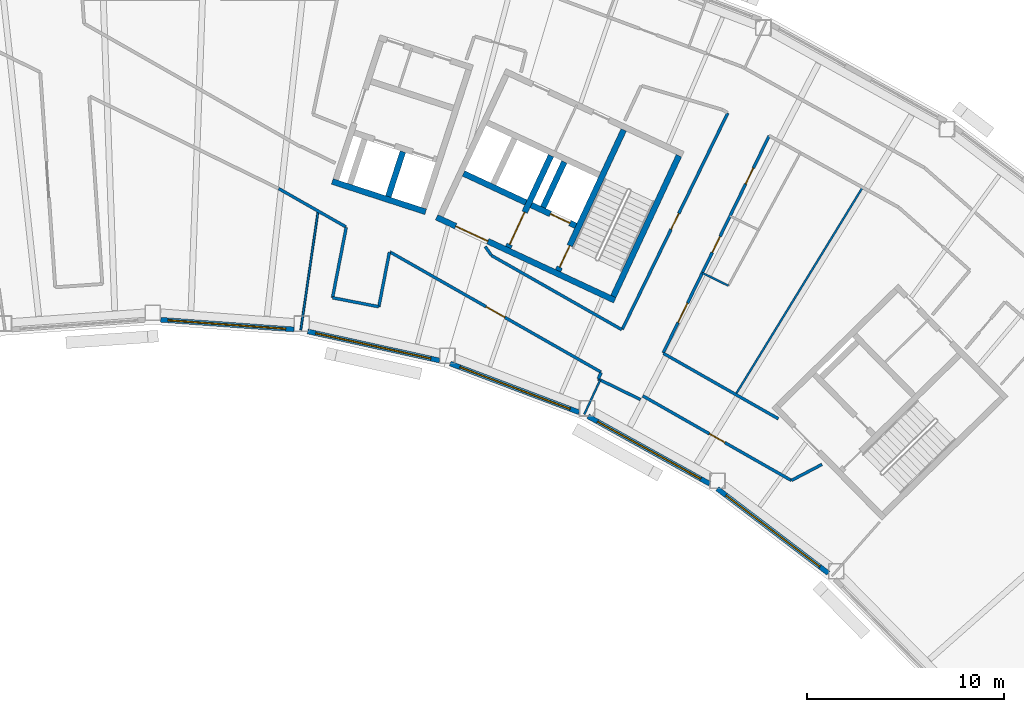
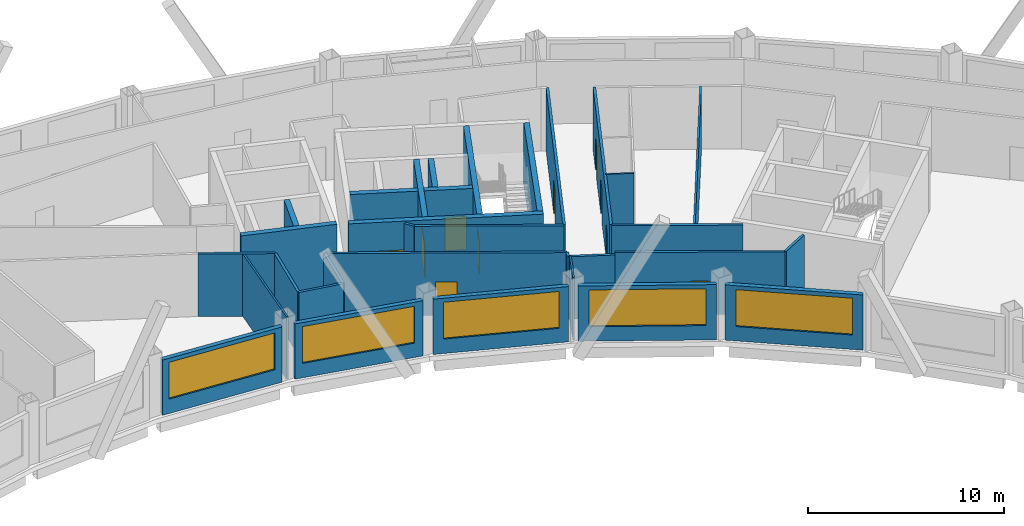
# One storey, part 8 of 14: 32 walls, 10 doors, 5 windows, 15 openings.
"""IFC4 building model written with IfcOpenShell, lengths in metres."""

from ifc_helpers import new_model, si_unit, direction, frame, frame_2d, origin, place, context, subcontext, project, spatial, rectangle, extrude, material, layer, layer_set, type_object, element, fill, save


model = new_model("IFC4")

# Units and contexts
model_context = context("Model", 3, precision=1e-05, world=origin(), true_north=direction((0.0, 1.0)))
body_context = subcontext(model_context, "Body", "Model", "MODEL_VIEW")
ifc_project = project(units=[si_unit("LENGTHUNIT", "METRE"), si_unit("AREAUNIT", "SQUARE_METRE"), si_unit("VOLUMEUNIT", "CUBIC_METRE"), si_unit("PLANEANGLEUNIT", "RADIAN"), si_unit("MASSUNIT", "GRAM", prefix="KILO")], contexts=[model_context])

# Site, building, storey
site_placement = place(None, origin())
site = spatial("IfcSite", under=ifc_project, at=site_placement, CompositionType="ELEMENT")
building_placement = place(site_placement, origin())
building = spatial("IfcBuilding", under=site, at=building_placement, Name="Tuul Gate Civic Tower", CompositionType="ELEMENT")
storey_placement = place(building_placement, frame((0.0, 0.0, 256.800048828125)))
storey = spatial("IfcBuildingStorey", under=building, at=storey_placement, Name="Level 58", CompositionType="ELEMENT", Elevation=256.800048828125)

# Wall, opening, door
ifc_material_1 = material(Name="Concrete C50/60", Category="concrete")
ifc_layer_1 = layer(ifc_material_1, 0.300048828125)
ifc_layer_set_1 = layer_set([ifc_layer_1], Name="Concrete C50/60")
wall_type_1 = type_object("IfcWallType", Name="Core wall C50/60", PredefinedType="SHEAR", material=ifc_layer_set_1)
wall_1_placement = place(storey_placement, frame((34.5283203125, -7.25, 0.0), z_axis=(0.0, 0.0, 1.0), x_axis=(-0.906310338845, 0.422612789327, 0.0)))
wall_1 = element("IfcWall", 1, at=wall_1_placement, inside=storey, type_object=wall_type_1, Name="Core wall", PredefinedType="SHEAR", context=body_context, shape_type="SweptSolid", body=[
    extrude(rectangle(XDim=9.999755859375, YDim=0.300048828125, at=frame_2d((5.0, 0.0))), origin(), (0.0, 0.0, 1.0), 3.89990234375),
])
opening_1_placement = place(wall_1_placement, frame((7.125, 0.0, 0.0)))
opening_1 = element("IfcOpeningElement", 2, at=opening_1_placement, cuts=wall_1, Name="Opening LB-E3-LOBBY-1", PredefinedType="OPENING", context=body_context, shape_type="SweptSolid", body=[
    extrude(rectangle(XDim=1.800048828125, YDim=2.10009765625, at=frame_2d((0.89990234375, 1.050048828125))), frame((0.0, 0.16015625, 0.0), z_axis=(0.0, -1.0, 0.0), x_axis=(1.0, 0.0, 0.0)), (0.0, 0.0, 1.0), 0.320068359375),
])
ifc_material_2 = material(Name="Steel", Category="steel")
door_type_1 = type_object("IfcDoorType", Name="Lobby door", OperationType="DOUBLE_DOOR_SINGLE_SWING", PredefinedType="DOOR", material=ifc_material_2)
door_1_placement = place(opening_1_placement, origin())
door_1 = element("IfcDoor", 3, at=door_1_placement, inside=storey, type_object=door_type_1, Name="Lobby door E3-LOBBY", OperationType="DOUBLE_DOOR_SINGLE_SWING", OverallHeight=2.10009765625, OverallWidth=1.800048828125, PredefinedType="DOOR", context=body_context, shape_type="SweptSolid", body=[
    extrude(rectangle(XDim=1.800048828125, YDim=2.10009765625, at=frame_2d((0.89990234375, 1.050048828125))), frame((0.0, 0.02490234375, 0.0), z_axis=(0.0, -1.0, 0.0), x_axis=(1.0, 0.0, 0.0)), (0.0, 0.0, 1.0), 0.050048828125),
])
fill(opening_1, door_1)

wall_2_placement = place(storey_placement, frame((32.545654296875, -3.456787109375, 0.0), z_axis=(0.0, 0.0, 1.0), x_axis=(-0.906300357825, 0.42263419337, 0.0)))
wall_2 = element("IfcWall", 4, at=wall_2_placement, inside=storey, type_object=wall_type_1, Name="Core wall", PredefinedType="SHEAR", context=body_context, shape_type="SweptSolid", body=[
    extrude(rectangle(XDim=2.500244140625, YDim=0.300048828125, at=frame_2d((1.25, 0.0))), origin(), (0.0, 0.0, 1.0), 3.89990234375),
])
opening_2_placement = place(wall_2_placement, frame((0.324951171875, 0.0, 0.0)))
opening_2 = element("IfcOpeningElement", 5, at=opening_2_placement, cuts=wall_2, Name="Opening LD-FF-2", PredefinedType="OPENING", context=body_context, shape_type="SweptSolid", body=[
    extrude(rectangle(XDim=1.10009765625, YDim=2.10009765625, at=frame_2d((0.550048828125, 1.050048828125))), frame((0.0, 0.16015625, 0.0), z_axis=(0.0, -1.0, 0.0), x_axis=(1.0, 0.0, 0.0)), (0.0, 0.0, 1.0), 0.320068359375),
])
ifc_material_3 = material(Name="Stainless steel", Category="steel")
door_type_2 = type_object("IfcDoorType", Name="Landing door", OperationType="DOUBLE_DOOR_SLIDING", PredefinedType="DOOR", material=ifc_material_3)
door_2_placement = place(opening_2_placement, origin())
door_2 = element("IfcDoor", 6, at=door_2_placement, inside=storey, type_object=door_type_2, Name="Fire-fighting lift FF-2 landing door", OperationType="DOUBLE_DOOR_SLIDING", OverallHeight=2.10009765625, OverallWidth=1.10009765625, PredefinedType="DOOR", context=body_context, shape_type="SweptSolid", body=[
    extrude(rectangle(XDim=1.10009765625, YDim=2.10009765625, at=frame_2d((0.550048828125, 1.050048828125))), frame((0.0, 0.02490234375, 0.0), z_axis=(0.0, -1.0, 0.0), x_axis=(1.0, 0.0, 0.0)), (0.0, 0.0, 1.0), 0.050048828125),
])
fill(opening_2, door_2)

# Walls
wall_3_placement = place(storey_placement, frame((30.0078125, -2.2734375, 0.0), z_axis=(0.0, 0.0, 1.0), x_axis=(-0.90630071767, 0.422633421716, 0.0)))
element("IfcWall", 7, at=wall_3_placement, inside=storey, type_object=wall_type_1, Name="Core wall", PredefinedType="SHEAR", context=body_context, shape_type="SweptSolid", body=[
    extrude(rectangle(XDim=3.5, YDim=0.300048828125, at=frame_2d((1.75, 0.0))), origin(), (0.0, 0.0, 1.0), 3.89990234375),
])
wall_4_placement = place(storey_placement, frame((34.455810546875, -7.05078125, 0.0), z_axis=(0.0, 0.0, 1.0), x_axis=(0.422570768258, 0.906329932096, 0.0)))
element("IfcWall", 8, at=wall_4_placement, inside=storey, type_object=wall_type_1, Name="Core wall", PredefinedType="SHEAR", context=body_context, shape_type="SweptSolid", body=[
    extrude(rectangle(XDim=7.900146484375, YDim=0.300048828125, at=frame_2d((3.9501953125, 0.0))), origin(), (0.0, 0.0, 1.0), 3.89990234375),
])

# Wall, opening, door
wall_5_placement = place(storey_placement, frame((31.646240234375, -5.740478515625, 0.0), z_axis=(0.0, 0.0, 1.0), x_axis=(0.422582604137, 0.906324413596, 0.0)))
wall_5 = element("IfcWall", 9, at=wall_5_placement, inside=storey, type_object=wall_type_1, Name="Core wall", PredefinedType="SHEAR", context=body_context, shape_type="SweptSolid", body=[
    extrude(rectangle(XDim=7.89990234375, YDim=0.300048828125, at=frame_2d((3.949951171875, 0.0))), origin(), (0.0, 0.0, 1.0), 3.89990234375),
])
opening_3_placement = place(wall_5_placement, frame((0.199951171875, 0.0, 0.0)))
opening_3 = element("IfcOpeningElement", 10, at=opening_3_placement, cuts=wall_5, Name="Opening SD-ST-4", PredefinedType="OPENING", context=body_context, shape_type="SweptSolid", body=[
    extrude(rectangle(XDim=1.199951171875, YDim=2.10009765625, at=frame_2d((0.60009765625, 1.050048828125))), frame((0.0, 0.16015625, 0.0), z_axis=(0.0, -1.0, 0.0), x_axis=(1.0, 0.0, 0.0)), (0.0, 0.0, 1.0), 0.320068359375),
])
ifc_material_4 = material(Name="Steel", Category="steel")
door_type_3 = type_object("IfcDoorType", Name="Stair door", OperationType="NOTDEFINED", PredefinedType="DOOR", material=ifc_material_4)
door_3_placement = place(opening_3_placement, origin())
door_3 = element("IfcDoor", 11, at=door_3_placement, inside=storey, type_object=door_type_3, Name="Stair door ST-4", OperationType="SINGLE_SWING_LEFT", OverallHeight=2.10009765625, OverallWidth=1.199951171875, PredefinedType="DOOR", context=body_context, shape_type="SweptSolid", body=[
    extrude(rectangle(XDim=1.199951171875, YDim=2.10009765625, at=frame_2d((0.60009765625, 1.050048828125))), frame((0.0, 0.02490234375, 0.0), z_axis=(0.0, -1.0, 0.0), x_axis=(1.0, 0.0, 0.0)), (0.0, 0.0, 1.0), 0.050048828125),
])
fill(opening_3, door_3)

# Wall
wall_6_placement = place(storey_placement, frame((30.886962890625, -2.517822265625, 0.0), z_axis=(0.0, 0.0, 1.0), x_axis=(0.422612891016, 0.906310291427, 0.0)))
element("IfcWall", 12, at=wall_6_placement, inside=storey, type_object=wall_type_1, Name="Core wall", PredefinedType="SHEAR", context=body_context, shape_type="SweptSolid", body=[
    extrude(rectangle(XDim=2.550048828125, YDim=0.300048828125, at=frame_2d((1.27490234375, 0.0))), origin(), (0.0, 0.0, 1.0), 3.89990234375),
])

# Wall, opening, door
wall_7_placement = place(storey_placement, frame((29.108642578125, -4.557373046875, 0.0), z_axis=(0.0, 0.0, 1.0), x_axis=(0.422566235356, 0.90633204552, 0.0)))
wall_7 = element("IfcWall", 13, at=wall_7_placement, inside=storey, type_object=wall_type_1, Name="Core wall", PredefinedType="SHEAR", context=body_context, shape_type="SweptSolid", body=[
    extrude(rectangle(XDim=5.150146484375, YDim=0.300048828125, at=frame_2d((2.5751953125, 0.0))), origin(), (0.0, 0.0, 1.0), 3.89990234375),
])
opening_4_placement = place(wall_7_placement, frame((0.175048828125, 0.0, 0.0)))
opening_4 = element("IfcOpeningElement", 14, at=opening_4_placement, cuts=wall_7, Name="Opening LB-E3-FLOBBY-1", PredefinedType="OPENING", context=body_context, shape_type="SweptSolid", body=[
    extrude(rectangle(XDim=1.800048828125, YDim=2.10009765625, at=frame_2d((0.89990234375, 1.050048828125))), frame((0.0, 0.16015625, 0.0), z_axis=(0.0, -1.0, 0.0), x_axis=(1.0, 0.0, 0.0)), (0.0, 0.0, 1.0), 0.320068359375),
])
door_4_placement = place(opening_4_placement, frame((1.800048828125, 0.0, 0.0), z_axis=(0.0, 0.0, 1.0), x_axis=(-1.0, 0.0, 0.0)))
door_4 = element("IfcDoor", 15, at=door_4_placement, inside=storey, type_object=door_type_1, Name="Lobby door E3-FLOBBY", OperationType="DOUBLE_DOOR_SINGLE_SWING", OverallHeight=2.10009765625, OverallWidth=1.800048828125, PredefinedType="DOOR", context=body_context, shape_type="SweptSolid", body=[
    extrude(rectangle(XDim=1.800048828125, YDim=2.10009765625, at=frame_2d((0.900146484375, 1.050048828125))), frame((0.0, 0.02490234375, 0.0), z_axis=(0.0, -1.0, 0.0), x_axis=(1.0, 0.0, 0.0)), (0.0, 0.0, 1.0), 0.050048828125),
])
fill(opening_4, door_4)

# Walls
ifc_material_5 = material(Name="Gypsum board partition")
ifc_layer_2 = layer(ifc_material_5, 0.14990234375)
ifc_layer_set_2 = layer_set([ifc_layer_2], Name="Gypsum board partition")
wall_type_2 = type_object("IfcWallType", Name="Corridor wall P150", PredefinedType="PARTITIONING", material=ifc_layer_set_2)
wall_8_placement = place(storey_placement, frame((28.256591796875, -4.965576171875, 0.0), z_axis=(0.0, 0.0, 1.0), x_axis=(0.869032320877, -0.494755318589, 0.0)))
element("IfcWall", 16, at=wall_8_placement, inside=storey, type_object=wall_type_2, Name="p023", PredefinedType="PARTITIONING", context=body_context, shape_type="SweptSolid", body=[
    extrude(rectangle(XDim=7.62353515625, YDim=0.14990234375, at=frame_2d((3.811767578125, 0.0))), origin(), (0.0, 0.0, 1.0), 3.89990234375),
])
wall_9_placement = place(storey_placement, frame((37.004638671875, -9.94580078125, 0.0), z_axis=(0.0, 0.0, 1.0), x_axis=(0.869046007404, -0.49473127758, 0.0)))
element("IfcWall", 17, at=wall_9_placement, inside=storey, type_object=wall_type_2, Name="p024", PredefinedType="PARTITIONING", context=body_context, shape_type="SweptSolid", body=[
    extrude(rectangle(XDim=6.72705078125, YDim=0.14990234375, at=frame_2d((3.363525390625, 0.0))), origin(), (0.0, 0.0, 1.0), 3.89990234375),
])
wall_10_placement = place(storey_placement, frame((33.681640625, -11.247314453125, 0.0), z_axis=(0.0, 0.0, 1.0), x_axis=(0.898820277284, -0.438317361216, 0.0)))
element("IfcWall", 18, at=wall_10_placement, inside=storey, type_object=wall_type_2, Name="p052", PredefinedType="PARTITIONING", context=body_context, shape_type="SweptSolid", body=[
    extrude(rectangle(XDim=2.39892578125, YDim=0.14990234375, at=frame_2d((1.199462890625, 0.0))), origin(), (0.0, 0.0, 1.0), 3.89990234375),
])

# Wall, openings, doors
wall_11_placement = place(storey_placement, frame((36.998291015625, -9.920654296875, 0.0), z_axis=(0.0, 0.0, 1.0), x_axis=(0.438372757264, 0.898793260816, 0.0)))
wall_11 = element("IfcWall", 19, at=wall_11_placement, inside=storey, type_object=wall_type_2, Name="p053", PredefinedType="PARTITIONING", context=body_context, shape_type="SweptSolid", body=[
    extrude(rectangle(XDim=12.291259765625, YDim=0.14990234375, at=frame_2d((6.1455078125, 0.0))), origin(), (0.0, 0.0, 1.0), 3.89990234375),
])
opening_5_placement = place(wall_11_placement, frame((1.712158203125, 0.0, 0.0)))
opening_5 = element("IfcOpeningElement", 20, at=opening_5_placement, cuts=wall_11, Name="Opening V-D18", PredefinedType="OPENING", context=body_context, shape_type="SweptSolid", body=[
    extrude(rectangle(XDim=1.10009765625, YDim=2.10009765625, at=frame_2d((0.550048828125, 1.050048828125))), frame((0.0, 0.0849609375, 0.0), z_axis=(0.0, -1.0, 0.0), x_axis=(1.0, 0.0, 0.0)), (0.0, 0.0, 1.0), 0.169921875),
])
opening_6_placement = place(wall_11_placement, frame((5.68505859375, 0.0, 0.0)))
opening_6 = element("IfcOpeningElement", 21, at=opening_6_placement, cuts=wall_11, Name="Opening V-D19", PredefinedType="OPENING", context=body_context, shape_type="SweptSolid", body=[
    extrude(rectangle(XDim=0.89990234375, YDim=2.10009765625, at=frame_2d((0.449951171875, 1.050048828125))), frame((0.0, 0.0849609375, 0.0), z_axis=(0.0, -1.0, 0.0), x_axis=(1.0, 0.0, 0.0)), (0.0, 0.0, 1.0), 0.169921875),
])
opening_7_placement = place(wall_11_placement, frame((9.5537109375, 0.0, 0.0)))
opening_7 = element("IfcOpeningElement", 22, at=opening_7_placement, cuts=wall_11, Name="Opening V-D25", PredefinedType="OPENING", context=body_context, shape_type="SweptSolid", body=[
    extrude(rectangle(XDim=0.89990234375, YDim=2.10009765625, at=frame_2d((0.449951171875, 1.050048828125))), frame((0.0, 0.0849609375, 0.0), z_axis=(0.0, -1.0, 0.0), x_axis=(1.0, 0.0, 0.0)), (0.0, 0.0, 1.0), 0.169921875),
])
ifc_material_6 = material(Name="Timber door leaf", Category="wood")
door_type_4 = type_object("IfcDoorType", Name="Door D09", OperationType="NOTDEFINED", PredefinedType="DOOR", material=ifc_material_6)
door_5_placement = place(opening_6_placement, frame((0.89990234375, 0.0, 0.0), z_axis=(0.0, 0.0, 1.0), x_axis=(-1.0, 0.0, 0.0)))
door_5 = element("IfcDoor", 23, at=door_5_placement, inside=storey, type_object=door_type_4, Name="Door V-D19", OperationType="SINGLE_SWING_LEFT", OverallHeight=2.10009765625, OverallWidth=0.89990234375, PredefinedType="DOOR", context=body_context, shape_type="SweptSolid", body=[
    extrude(rectangle(XDim=0.89990234375, YDim=2.10009765625, at=frame_2d((0.449951171875, 1.050048828125))), frame((0.0, 0.02490234375, 0.0), z_axis=(0.0, -1.0, 0.0), x_axis=(1.0, 0.0, 0.0)), (0.0, 0.0, 1.0), 0.050048828125),
])
fill(opening_6, door_5)
door_6_placement = place(opening_7_placement, frame((0.89990234375, 0.0, 0.0), z_axis=(0.0, 0.0, 1.0), x_axis=(-1.0, 0.0, 0.0)))
door_6 = element("IfcDoor", 24, at=door_6_placement, inside=storey, type_object=door_type_4, Name="Door V-D25", OperationType="SINGLE_SWING_LEFT", OverallHeight=2.10009765625, OverallWidth=0.89990234375, PredefinedType="DOOR", context=body_context, shape_type="SweptSolid", body=[
    extrude(rectangle(XDim=0.89990234375, YDim=2.10009765625, at=frame_2d((0.449951171875, 1.050048828125))), frame((0.0, 0.02490234375, 0.0), z_axis=(0.0, -1.0, 0.0), x_axis=(1.0, 0.0, 0.0)), (0.0, 0.0, 1.0), 0.050048828125),
])
fill(opening_7, door_6)
ifc_material_7 = material(Name="Timber door leaf", Category="wood")
door_type_5 = type_object("IfcDoorType", Name="Door D11", OperationType="NOTDEFINED", PredefinedType="DOOR", material=ifc_material_7)
door_7_placement = place(opening_5_placement, frame((1.10009765625, 0.0, 0.0), z_axis=(0.0, 0.0, 1.0), x_axis=(-1.0, 0.0, 0.0)))
door_7 = element("IfcDoor", 25, at=door_7_placement, inside=storey, type_object=door_type_5, Name="Door V-D18", OperationType="SINGLE_SWING_LEFT", OverallHeight=2.10009765625, OverallWidth=1.10009765625, PredefinedType="DOOR", context=body_context, shape_type="SweptSolid", body=[
    extrude(rectangle(XDim=1.10009765625, YDim=2.10009765625, at=frame_2d((0.550048828125, 1.050048828125))), frame((0.0, 0.02490234375, 0.0), z_axis=(0.0, -1.0, 0.0), x_axis=(1.0, 0.0, 0.0)), (0.0, 0.0, 1.0), 0.050048828125),
])
fill(opening_5, door_7)

# Wall
wall_12_placement = place(storey_placement, frame((17.43310546875, -1.565673828125, 0.0), z_axis=(0.0, 0.0, 1.0), x_axis=(0.869046695057, -0.494730069645, 0.0)))
element("IfcWall", 26, at=wall_12_placement, inside=storey, type_object=wall_type_2, Name="p054", PredefinedType="PARTITIONING", context=body_context, shape_type="SweptSolid", body=[
    extrude(rectangle(XDim=3.939453125, YDim=0.14990234375, at=frame_2d((1.9697265625, 0.0))), origin(), (0.0, 0.0, 1.0), 3.89990234375),
])

# Wall, opening, door
wall_13_placement = place(storey_placement, frame((23.0947265625, -4.788818359375, 0.0), z_axis=(0.0, 0.0, 1.0), x_axis=(0.869048389976, -0.494727092324, 0.0)))
wall_13 = element("IfcWall", 27, at=wall_13_placement, inside=storey, type_object=wall_type_2, Name="p055", PredefinedType="PARTITIONING", context=body_context, shape_type="SweptSolid", body=[
    extrude(rectangle(XDim=12.3525390625, YDim=0.14990234375, at=frame_2d((6.17626953125, 0.0))), origin(), (0.0, 0.0, 1.0), 3.89990234375),
])
opening_8_placement = place(wall_13_placement, frame((5.626220703125, 0.0, 0.0)))
opening_8 = element("IfcOpeningElement", 28, at=opening_8_placement, cuts=wall_13, Name="Opening V-D11", PredefinedType="OPENING", context=body_context, shape_type="SweptSolid", body=[
    extrude(rectangle(XDim=1.10009765625, YDim=2.10009765625, at=frame_2d((0.550048828125, 1.050048828125))), frame((0.0, 0.0849609375, 0.0), z_axis=(0.0, -1.0, 0.0), x_axis=(1.0, 0.0, 0.0)), (0.0, 0.0, 1.0), 0.169921875),
])
door_8_placement = place(opening_8_placement, frame((1.10009765625, 0.0, 0.0), z_axis=(0.0, 0.0, 1.0), x_axis=(-1.0, 0.0, 0.0)))
door_8 = element("IfcDoor", 29, at=door_8_placement, inside=storey, type_object=door_type_5, Name="Door V-D11", OperationType="SINGLE_SWING_LEFT", OverallHeight=2.10009765625, OverallWidth=1.10009765625, PredefinedType="DOOR", context=body_context, shape_type="SweptSolid", body=[
    extrude(rectangle(XDim=1.10009765625, YDim=2.10009765625, at=frame_2d((0.550048828125, 1.050048828125))), frame((0.0, 0.02490234375, 0.0), z_axis=(0.0, -1.0, 0.0), x_axis=(1.0, 0.0, 0.0)), (0.0, 0.0, 1.0), 0.050048828125),
])
fill(opening_8, door_8)

wall_14_placement = place(storey_placement, frame((35.954345703125, -12.109619140625, 0.0), z_axis=(0.0, 0.0, 1.0), x_axis=(0.869048580434, -0.494726757761, 0.0)))
wall_14 = element("IfcWall", 30, at=wall_14_placement, inside=storey, type_object=wall_type_2, Name="p056", PredefinedType="PARTITIONING", context=body_context, shape_type="SweptSolid", body=[
    extrude(rectangle(XDim=8.69873046875, YDim=0.14990234375, at=frame_2d((4.349365234375, 0.0))), origin(), (0.0, 0.0, 1.0), 3.89990234375),
])
opening_9_placement = place(wall_14_placement, frame((3.8994140625, 0.0, 0.0)))
opening_9 = element("IfcOpeningElement", 31, at=opening_9_placement, cuts=wall_14, Name="Opening V-D10", PredefinedType="OPENING", context=body_context, shape_type="SweptSolid", body=[
    extrude(rectangle(XDim=0.89990234375, YDim=2.10009765625, at=frame_2d((0.449951171875, 1.050048828125))), frame((0.0, 0.0849609375, 0.0), z_axis=(0.0, -1.0, 0.0), x_axis=(1.0, 0.0, 0.0)), (0.0, 0.0, 1.0), 0.169921875),
])
door_9_placement = place(opening_9_placement, frame((0.89990234375, 0.0, 0.0), z_axis=(0.0, 0.0, 1.0), x_axis=(-1.0, 0.0, 0.0)))
door_9 = element("IfcDoor", 32, at=door_9_placement, inside=storey, type_object=door_type_4, Name="Door V-D10", OperationType="SINGLE_SWING_LEFT", OverallHeight=2.10009765625, OverallWidth=0.89990234375, PredefinedType="DOOR", context=body_context, shape_type="SweptSolid", body=[
    extrude(rectangle(XDim=0.89990234375, YDim=2.10009765625, at=frame_2d((0.449951171875, 1.050048828125))), frame((0.0, 0.02490234375, 0.0), z_axis=(0.0, -1.0, 0.0), x_axis=(1.0, 0.0, 0.0)), (0.0, 0.0, 1.0), 0.050048828125),
])
fill(opening_9, door_9)

# Walls
wall_15_placement = place(storey_placement, frame((43.514892578125, -16.4130859375, 0.0), z_axis=(0.0, 0.0, 1.0), x_axis=(0.885578182446, 0.464490347343, 0.0)))
element("IfcWall", 33, at=wall_15_placement, inside=storey, type_object=wall_type_2, Name="p057", PredefinedType="PARTITIONING", context=body_context, shape_type="SweptSolid", body=[
    extrude(rectangle(XDim=1.755126953125, YDim=0.14990234375, at=frame_2d((0.87744140625, 0.0))), origin(), (0.0, 0.0, 1.0), 3.89990234375),
])
wall_16_placement = place(storey_placement, frame((20.17041015625, -7.1162109375, 0.0), z_axis=(0.0, 0.0, 1.0), x_axis=(0.190835618479, 0.981622008066, 0.0)))
element("IfcWall", 34, at=wall_16_placement, inside=storey, type_object=wall_type_2, Name="p058", PredefinedType="PARTITIONING", context=body_context, shape_type="SweptSolid", body=[
    extrude(rectangle(XDim=3.6474609375, YDim=0.14990234375, at=frame_2d((1.82373046875, 0.0))), origin(), (0.0, 0.0, 1.0), 3.89990234375),
])
wall_17_placement = place(storey_placement, frame((20.1708984375, -7.11669921875, 0.0), z_axis=(0.0, 0.0, 1.0), x_axis=(0.981627039765, -0.190809734559, 0.0)))
element("IfcWall", 35, at=wall_17_placement, inside=storey, type_object=wall_type_2, Name="p059", PredefinedType="PARTITIONING", context=body_context, shape_type="SweptSolid", body=[
    extrude(rectangle(XDim=2.399169921875, YDim=0.14990234375, at=frame_2d((1.19970703125, 0.0))), origin(), (0.0, 0.0, 1.0), 3.89990234375),
])
wall_18_placement = place(storey_placement, frame((22.5263671875, -7.57421875, 0.0), z_axis=(0.0, 0.0, 1.0), x_axis=(0.190809492734, 0.981627086771, 0.0)))
element("IfcWall", 36, at=wall_18_placement, inside=storey, type_object=wall_type_2, Name="p060", PredefinedType="PARTITIONING", context=body_context, shape_type="SweptSolid", body=[
    extrude(rectangle(XDim=2.823974609375, YDim=0.14990234375, at=frame_2d((1.412109375, 0.0))), origin(), (0.0, 0.0, 1.0), 3.89990234375),
])
wall_19_placement = place(storey_placement, frame((33.681396484375, -11.24658203125, 0.0), z_axis=(0.0, 0.0, 1.0), x_axis=(0.438153845519, 0.898899998697, 0.0)))
element("IfcWall", 37, at=wall_19_placement, inside=storey, type_object=wall_type_2, Name="p061", PredefinedType="PARTITIONING", context=body_context, shape_type="SweptSolid", body=[
    extrude(rectangle(XDim=0.356689453125, YDim=0.14990234375, at=frame_2d((0.17822265625, 0.0))), origin(), (0.0, 0.0, 1.0), 3.89990234375),
])

# Wall, opening, door
wall_20_placement = place(storey_placement, frame((34.909423828125, -8.728515625, 0.0), z_axis=(0.0, 0.0, 1.0), x_axis=(0.43837608299, 0.898791638736, 0.0)))
wall_20 = element("IfcWall", 38, at=wall_20_placement, inside=storey, type_object=wall_type_2, Name="p062", PredefinedType="PARTITIONING", context=body_context, shape_type="SweptSolid", body=[
    extrude(rectangle(XDim=12.240478515625, YDim=0.14990234375, at=frame_2d((6.1201171875, 0.0))), origin(), (0.0, 0.0, 1.0), 3.89990234375),
])
opening_10_placement = place(wall_20_placement, frame((5.67041015625, 0.0, 0.0)))
opening_10 = element("IfcOpeningElement", 39, at=opening_10_placement, cuts=wall_20, Name="Opening V-D20", PredefinedType="OPENING", context=body_context, shape_type="SweptSolid", body=[
    extrude(rectangle(XDim=0.89990234375, YDim=2.10009765625, at=frame_2d((0.449951171875, 1.050048828125))), frame((0.0, 0.0849609375, 0.0), z_axis=(0.0, -1.0, 0.0), x_axis=(1.0, 0.0, 0.0)), (0.0, 0.0, 1.0), 0.169921875),
])
door_10_placement = place(opening_10_placement, origin())
door_10 = element("IfcDoor", 40, at=door_10_placement, inside=storey, type_object=door_type_4, Name="Door V-D20", OperationType="SINGLE_SWING_RIGHT", OverallHeight=2.10009765625, OverallWidth=0.89990234375, PredefinedType="DOOR", context=body_context, shape_type="SweptSolid", body=[
    extrude(rectangle(XDim=0.89990234375, YDim=2.10009765625, at=frame_2d((0.449951171875, 1.050048828125))), frame((0.0, 0.02490234375, 0.0), z_axis=(0.0, -1.0, 0.0), x_axis=(1.0, 0.0, 0.0)), (0.0, 0.0, 1.0), 0.050048828125),
])
fill(opening_10, door_10)

# Wall
wall_21_placement = place(storey_placement, frame((27.939453125, -4.509033203125, 0.0), z_axis=(0.0, 0.0, 1.0), x_axis=(0.567399346164, -0.823442761807, 0.0)))
element("IfcWall", 41, at=wall_21_placement, inside=storey, type_object=wall_type_2, Name="p094", PredefinedType="PARTITIONING", context=body_context, shape_type="SweptSolid", body=[
    extrude(rectangle(XDim=0.54736328125, YDim=0.14990234375, at=frame_2d((0.273681640625, 0.0))), origin(), (0.0, 0.0, 1.0), 3.89990234375),
])

# Wall, opening, window
ifc_material_8 = material(Name="Precast concrete C40/50", Category="concrete")
ifc_layer_3 = layer(ifc_material_8, 0.25)
ifc_layer_set_3 = layer_set([ifc_layer_3], Name="Precast concrete C40/50")
wall_type_3 = type_object("IfcWallType", Name="External wall", PredefinedType="STANDARD", material=ifc_layer_set_3)
wall_22_placement = place(storey_placement, frame((11.430908203125, -8.236572265625, 0.0), z_axis=(0.0, 0.0, 1.0), x_axis=(0.997384795983, -0.072274260578, 0.0)))
wall_22 = element("IfcWall", 42, at=wall_22_placement, inside=storey, type_object=wall_type_3, Name="External wall", PredefinedType="STANDARD", context=body_context, shape_type="SweptSolid", body=[
    extrude(rectangle(XDim=6.789794921875, YDim=0.25, at=frame_2d((3.39501953125, 0.0))), origin(), (0.0, 0.0, 1.0), 3.449951171875),
])
opening_11_placement = place(wall_22_placement, frame((0.371337890625, 0.0, 0.89990234375)))
opening_11 = element("IfcOpeningElement", 43, at=opening_11_placement, cuts=wall_22, Name="Opening W26", PredefinedType="OPENING", context=body_context, shape_type="SweptSolid", body=[
    extrude(rectangle(XDim=6.0, YDim=2.300048828125, at=frame_2d((3.0, 1.14990234375))), frame((0.0, 0.135009765625, 0.0), z_axis=(0.0, -1.0, 0.0), x_axis=(1.0, 0.0, 0.0)), (0.0, 0.0, 1.0), 0.27001953125),
])
ifc_material_9 = material(Name="Glass", Category="glass")
window_type = type_object("IfcWindowType", Name="Window W26 6000 x 2300", PartitioningType="SINGLE_PANEL", PredefinedType="WINDOW", material=ifc_material_9)
window_1_placement = place(opening_11_placement, origin())
window_1 = element("IfcWindow", 44, at=window_1_placement, inside=storey, type_object=window_type, Name="Window", OverallHeight=2.300048828125, OverallWidth=6.0, PartitioningType="SINGLE_PANEL", PredefinedType="WINDOW", context=body_context, shape_type="SweptSolid", body=[
    extrude(rectangle(XDim=6.0, YDim=2.300048828125, at=frame_2d((3.0, 1.14990234375))), frame((0.0, 0.030029296875, 0.0), z_axis=(0.0, -1.0, 0.0), x_axis=(1.0, 0.0, 0.0)), (0.0, 0.0, 1.0), 0.06005859375),
])
fill(opening_11, window_1)

wall_23_placement = place(storey_placement, frame((18.90576171875, -8.830078125, 0.0), z_axis=(0.0, 0.0, 1.0), x_axis=(0.976589118116, -0.215113212929, 0.0)))
wall_23 = element("IfcWall", 45, at=wall_23_placement, inside=storey, type_object=wall_type_3, Name="External wall", PredefinedType="STANDARD", context=body_context, shape_type="SweptSolid", body=[
    extrude(rectangle(XDim=6.8720703125, YDim=0.25, at=frame_2d((3.43603515625, 0.0))), origin(), (0.0, 0.0, 1.0), 3.449951171875),
])
opening_12_placement = place(wall_23_placement, frame((0.4140625, 0.0, 0.89990234375)))
opening_12 = element("IfcOpeningElement", 46, at=opening_12_placement, cuts=wall_23, Name="Opening W26", PredefinedType="OPENING", context=body_context, shape_type="SweptSolid", body=[
    extrude(rectangle(XDim=6.0, YDim=2.300048828125, at=frame_2d((3.0, 1.14990234375))), frame((0.0, 0.135009765625, 0.0), z_axis=(0.0, -1.0, 0.0), x_axis=(1.0, 0.0, 0.0)), (0.0, 0.0, 1.0), 0.27001953125),
])
window_2_placement = place(opening_12_placement, origin())
window_2 = element("IfcWindow", 47, at=window_2_placement, inside=storey, type_object=window_type, Name="Window", OverallHeight=2.300048828125, OverallWidth=6.0, PartitioningType="SINGLE_PANEL", PredefinedType="WINDOW", context=body_context, shape_type="SweptSolid", body=[
    extrude(rectangle(XDim=6.0, YDim=2.300048828125, at=frame_2d((3.0, 1.14990234375))), frame((0.0, 0.030029296875, 0.0), z_axis=(0.0, -1.0, 0.0), x_axis=(1.0, 0.0, 0.0)), (0.0, 0.0, 1.0), 0.06005859375),
])
fill(opening_12, window_2)

wall_24_placement = place(storey_placement, frame((26.15673828125, -10.464111328125, 0.0), z_axis=(0.0, 0.0, 1.0), x_axis=(0.935331393711, -0.353772785752, 0.0)))
wall_24 = element("IfcWall", 48, at=wall_24_placement, inside=storey, type_object=wall_type_3, Name="External wall", PredefinedType="STANDARD", context=body_context, shape_type="SweptSolid", body=[
    extrude(rectangle(XDim=7.014892578125, YDim=0.25, at=frame_2d((3.50732421875, 0.0))), origin(), (0.0, 0.0, 1.0), 3.449951171875),
])
opening_13_placement = place(wall_24_placement, frame((0.5234375, 0.0, 0.89990234375)))
opening_13 = element("IfcOpeningElement", 49, at=opening_13_placement, cuts=wall_24, Name="Opening W26", PredefinedType="OPENING", context=body_context, shape_type="SweptSolid", body=[
    extrude(rectangle(XDim=6.0, YDim=2.300048828125, at=frame_2d((3.0, 1.14990234375))), frame((0.0, 0.135009765625, 0.0), z_axis=(0.0, -1.0, 0.0), x_axis=(1.0, 0.0, 0.0)), (0.0, 0.0, 1.0), 0.27001953125),
])
window_3_placement = place(opening_13_placement, origin())
window_3 = element("IfcWindow", 50, at=window_3_placement, inside=storey, type_object=window_type, Name="Window", OverallHeight=2.300048828125, OverallWidth=6.0, PartitioningType="SINGLE_PANEL", PredefinedType="WINDOW", context=body_context, shape_type="SweptSolid", body=[
    extrude(rectangle(XDim=6.0, YDim=2.300048828125, at=frame_2d((3.0, 1.14990234375))), frame((0.0, 0.030029296875, 0.0), z_axis=(0.0, -1.0, 0.0), x_axis=(1.0, 0.0, 0.0)), (0.0, 0.0, 1.0), 0.06005859375),
])
fill(opening_13, window_3)

wall_25_placement = place(storey_placement, frame((33.167724609375, -13.14892578125, 0.0), z_axis=(0.0, 0.0, 1.0), x_axis=(0.874609302381, -0.484828390452, 0.0)))
wall_25 = element("IfcWall", 51, at=wall_25_placement, inside=storey, type_object=wall_type_3, Name="External wall", PredefinedType="STANDARD", context=body_context, shape_type="SweptSolid", body=[
    extrude(rectangle(XDim=7.07666015625, YDim=0.25, at=frame_2d((3.538330078125, 0.0))), origin(), (0.0, 0.0, 1.0), 3.449951171875),
])
opening_14_placement = place(wall_25_placement, frame((0.558349609375, 0.0, 0.89990234375)))
opening_14 = element("IfcOpeningElement", 52, at=opening_14_placement, cuts=wall_25, Name="Opening W26", PredefinedType="OPENING", context=body_context, shape_type="SweptSolid", body=[
    extrude(rectangle(XDim=6.0, YDim=2.300048828125, at=frame_2d((3.0, 1.14990234375))), frame((0.0, 0.135009765625, 0.0), z_axis=(0.0, -1.0, 0.0), x_axis=(1.0, 0.0, 0.0)), (0.0, 0.0, 1.0), 0.27001953125),
])
window_4_placement = place(opening_14_placement, origin())
window_4 = element("IfcWindow", 53, at=window_4_placement, inside=storey, type_object=window_type, Name="Window", OverallHeight=2.300048828125, OverallWidth=6.0, PartitioningType="SINGLE_PANEL", PredefinedType="WINDOW", context=body_context, shape_type="SweptSolid", body=[
    extrude(rectangle(XDim=6.0, YDim=2.300048828125, at=frame_2d((3.0, 1.14990234375))), frame((0.0, 0.030029296875, 0.0), z_axis=(0.0, -1.0, 0.0), x_axis=(1.0, 0.0, 0.0)), (0.0, 0.0, 1.0), 0.06005859375),
])
fill(opening_14, window_4)

wall_26_placement = place(storey_placement, frame((39.746337890625, -16.830078125, 0.0), z_axis=(0.0, 0.0, 1.0), x_axis=(0.795636022241, -0.605774974815, 0.0)))
wall_26 = element("IfcWall", 54, at=wall_26_placement, inside=storey, type_object=wall_type_3, Name="External wall", PredefinedType="STANDARD", context=body_context, shape_type="SweptSolid", body=[
    extrude(rectangle(XDim=7.103271484375, YDim=0.25, at=frame_2d((3.5517578125, 0.0))), origin(), (0.0, 0.0, 1.0), 3.449951171875),
])
opening_15_placement = place(wall_26_placement, frame((0.5625, 0.0, 0.89990234375)))
opening_15 = element("IfcOpeningElement", 55, at=opening_15_placement, cuts=wall_26, Name="Opening W26", PredefinedType="OPENING", context=body_context, shape_type="SweptSolid", body=[
    extrude(rectangle(XDim=6.0, YDim=2.300048828125, at=frame_2d((3.0, 1.14990234375))), frame((0.0, 0.135009765625, 0.0), z_axis=(0.0, -1.0, 0.0), x_axis=(1.0, 0.0, 0.0)), (0.0, 0.0, 1.0), 0.27001953125),
])
window_5_placement = place(opening_15_placement, origin())
window_5 = element("IfcWindow", 56, at=window_5_placement, inside=storey, type_object=window_type, Name="Window", OverallHeight=2.300048828125, OverallWidth=6.0, PartitioningType="SINGLE_PANEL", PredefinedType="WINDOW", context=body_context, shape_type="SweptSolid", body=[
    extrude(rectangle(XDim=6.0, YDim=2.300048828125, at=frame_2d((3.0, 1.14990234375))), frame((0.0, 0.030029296875, 0.0), z_axis=(0.0, -1.0, 0.0), x_axis=(1.0, 0.0, 0.0)), (0.0, 0.0, 1.0), 0.06005859375),
])
fill(opening_15, window_5)

# Walls
ifc_material_10 = material(Name="Concrete C40/50", Category="concrete")
ifc_layer_4 = layer(ifc_material_10, 0.300048828125)
ifc_layer_set_4 = layer_set([ifc_layer_4], Name="Concrete C40/50")
wall_type_4 = type_object("IfcWallType", Name="Lift shaft wall C40/50", PredefinedType="STANDARD", material=ifc_layer_set_4)
wall_27_placement = place(storey_placement, frame((24.911376953125, -2.746337890625, 0.0), z_axis=(0.0, 0.0, 1.0), x_axis=(-0.951067792613, 0.308982287281, 0.0)))
element("IfcWall", 57, at=wall_27_placement, inside=storey, type_object=wall_type_4, Name="Shaft wall", PredefinedType="STANDARD", context=body_context, shape_type="SweptSolid", body=[
    extrude(rectangle(XDim=5.0, YDim=0.300048828125, at=frame_2d((2.5, 0.0))), origin(), (0.0, 0.0, 1.0), 3.89990234375),
])
wall_28_placement = place(storey_placement, frame((23.008056640625, -1.97021484375, 0.0), z_axis=(0.0, 0.0, 1.0), x_axis=(0.309138975195, 0.951016873675, 0.0)))
element("IfcWall", 58, at=wall_28_placement, inside=storey, type_object=wall_type_4, Name="Shaft wall", PredefinedType="STANDARD", context=body_context, shape_type="SweptSolid", body=[
    extrude(rectangle(XDim=2.400146484375, YDim=0.300048828125, at=frame_2d((1.2001953125, 0.0))), origin(), (0.0, 0.0, 1.0), 3.89990234375),
])
ifc_material_11 = material(Name="Gypsum board partition")
ifc_layer_5 = layer(ifc_material_11, 0.10009765625)
ifc_layer_set_5 = layer_set([ifc_layer_5], Name="Gypsum board partition")
wall_type_5 = type_object("IfcWallType", Name="Partition P100", PredefinedType="PARTITIONING", material=ifc_layer_set_5)
wall_29_placement = place(storey_placement, frame((32.978515625, -13.0498046875, 0.0), z_axis=(0.0, 0.0, 1.0), x_axis=(0.420333944313, 0.907369481115, 0.0)))
element("IfcWall", 59, at=wall_29_placement, inside=storey, type_object=wall_type_5, Name="p007", PredefinedType="PARTITIONING", context=body_context, shape_type="SweptSolid", body=[
    extrude(rectangle(XDim=1.928955078125, YDim=0.10009765625, at=frame_2d((0.96435546875, 0.0))), origin(), (0.0, 0.0, 1.0), 3.89990234375),
])
wall_30_placement = place(storey_placement, frame((18.55517578125, -8.7578125, 0.0), z_axis=(0.0, 0.0, 1.0), x_axis=(0.144075607453, 0.989566682613, 0.0)))
element("IfcWall", 60, at=wall_30_placement, inside=storey, type_object=wall_type_5, Name="p012", PredefinedType="PARTITIONING", context=body_context, shape_type="SweptSolid", body=[
    extrude(rectangle(XDim=6.115478515625, YDim=0.10009765625, at=frame_2d((3.0576171875, 0.0))), origin(), (0.0, 0.0, 1.0), 3.89990234375),
])
wall_31_placement = place(storey_placement, frame((40.681396484375, -12.0390625, 0.0), z_axis=(0.0, 0.0, 1.0), x_axis=(0.522489320379, 0.852645829222, 0.0)))
element("IfcWall", 61, at=wall_31_placement, inside=storey, type_object=wall_type_5, Name="p086", PredefinedType="PARTITIONING", context=body_context, shape_type="SweptSolid", body=[
    extrude(rectangle(XDim=12.357177734375, YDim=0.10009765625, at=frame_2d((6.1787109375, 0.0))), origin(), (0.0, 0.0, 1.0), 3.89990234375),
])
wall_32_placement = place(storey_placement, frame((38.9814453125, -5.8544921875, 0.0), z_axis=(0.0, 0.0, 1.0), x_axis=(0.898814524295, -0.438329158187, 0.0)))
element("IfcWall", 62, at=wall_32_placement, inside=storey, type_object=wall_type_5, Name="p090", PredefinedType="PARTITIONING", context=body_context, shape_type="SweptSolid", body=[
    extrude(rectangle(XDim=1.4765625, YDim=0.10009765625, at=frame_2d((0.73828125, 0.0))), origin(), (0.0, 0.0, 1.0), 3.89990234375),
])

save(model, "model.ifc")
